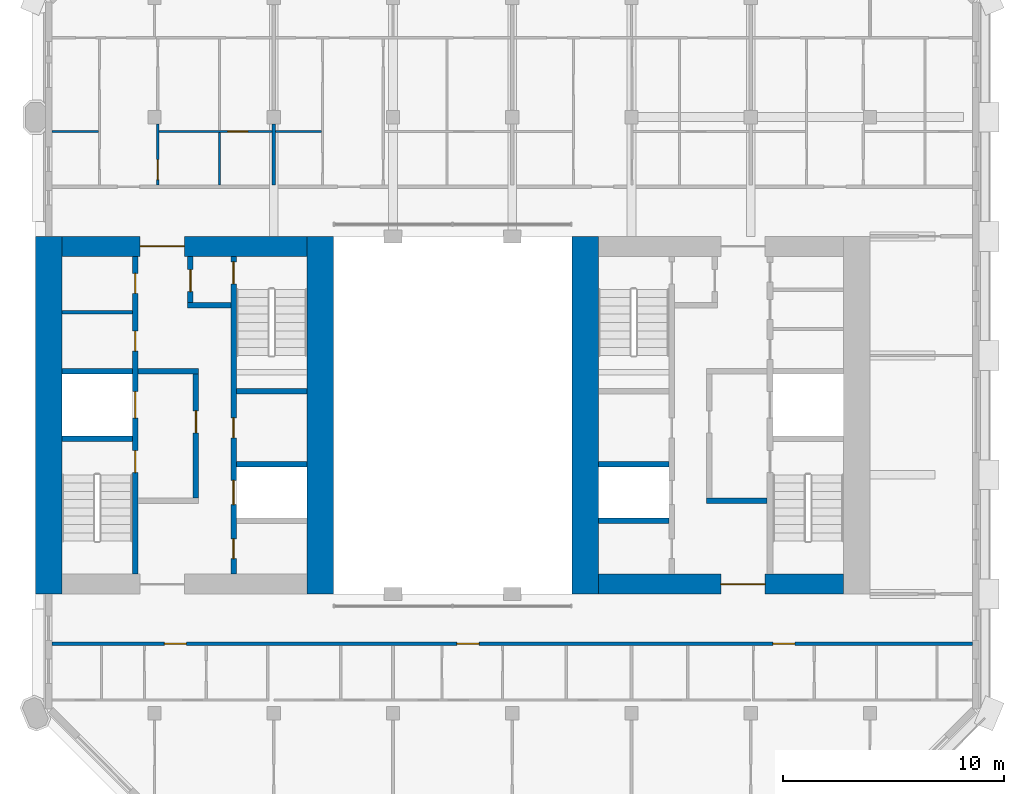
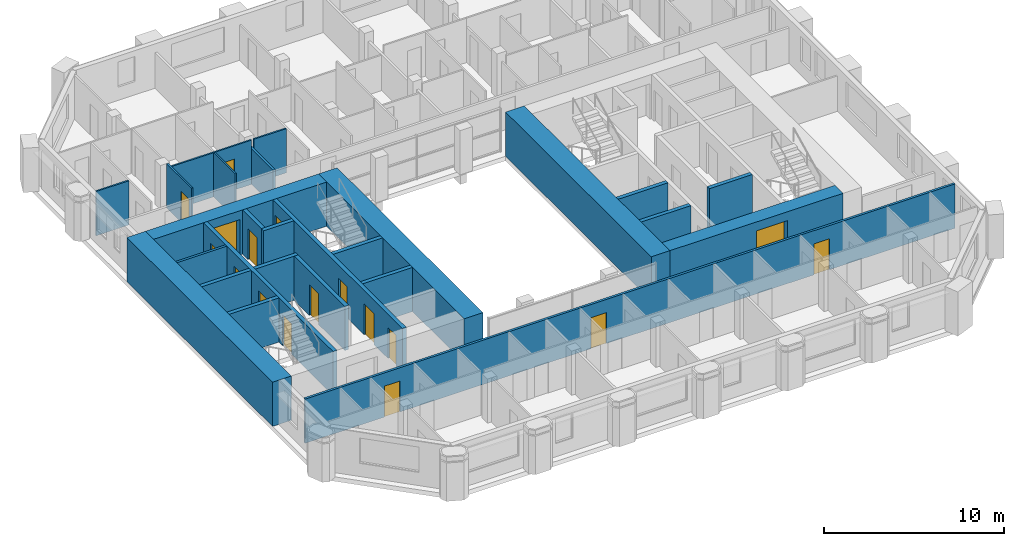
# One storey, part 5 of 13: 26 walls, 17 doors, 17 openings.
"""IFC4 building model written with IfcOpenShell, lengths in metres."""

from ifc_helpers import new_model, si_unit, direction, frame, frame_2d, origin, place, context, subcontext, project, spatial, rectangle, extrude, material, layer, layer_set, type_object, element, fill, save


model = new_model("IFC4")

# Units and contexts
model_context = context("Model", 3, precision=1e-05, world=origin(), true_north=direction((0.0, 1.0)))
body_context = subcontext(model_context, "Body", "Model", "MODEL_VIEW")
ifc_project = project(units=[si_unit("LENGTHUNIT", "METRE"), si_unit("AREAUNIT", "SQUARE_METRE"), si_unit("VOLUMEUNIT", "CUBIC_METRE"), si_unit("PLANEANGLEUNIT", "RADIAN"), si_unit("MASSUNIT", "GRAM", prefix="KILO")], contexts=[model_context])

# Site, building, storey
site_placement = place(None, origin())
site = spatial("IfcSite", under=ifc_project, at=site_placement, CompositionType="ELEMENT")
building_placement = place(site_placement, origin())
building = spatial("IfcBuilding", under=site, at=building_placement, Name="Tabaq Tower and Sports Hall", CompositionType="ELEMENT")
storey_placement = place(building_placement, frame((0.0, 0.0, 295.0)))
storey = spatial("IfcBuildingStorey", under=building, at=storey_placement, Name="L73", CompositionType="ELEMENT", Elevation=295.0)

# Walls
ifc_material_1 = material(Name="Blockwork", Category="masonry")
ifc_layer_1 = layer(ifc_material_1, 0.14990234375)
ifc_layer_set_1 = layer_set([ifc_layer_1], Name="Core room partition 150 Blockwork")
wall_type_1 = type_object("IfcWallType", Name="Core room partition 150 Blockwork", PredefinedType="PARTITIONING", material=ifc_layer_set_1)
wall_1_placement = place(storey_placement, frame((6.60009765625, 28.962890625, 0.0), z_axis=(0.0, 0.0, 1.0), x_axis=(1.0, 0.0, 0.0)))
element("IfcWall", 1, at=wall_1_placement, inside=storey, type_object=wall_type_1, Name="Core room partition W L73", PredefinedType="PARTITIONING", context=body_context, shape_type="SweptSolid", body=[
    extrude(rectangle(XDim=3.199951171875, YDim=0.14990234375, at=frame_2d((1.60009765625, 0.0))), origin(), (0.0, 0.0, 1.0), 3.0),
])
ifc_material_2 = material(Name="Concrete C40/50", Category="concrete")
ifc_layer_2 = layer(ifc_material_2, 1.199951171875)
ifc_layer_set_2 = layer_set([ifc_layer_2], Name="Core wall 1200 Concrete C40/50")
wall_type_2 = type_object("IfcWallType", Name="Core wall 1200 Concrete C40/50", PredefinedType="SOLIDWALL", material=ifc_layer_set_2)
for number, where, z_axis, x_axis, name in (
    (2, (6.0, 16.199951171875, 0.0), (0.0, 0.0, 1.0), (0.0, 1.0, 0.0), "Core wall W L73"),
    (3, (18.300048828125, 32.39990234375, 0.0), (0.0, 0.0, 1.0), (0.0, -1.0, 0.0), "Core wall W L73"),
    (4, (30.300048828125, 16.199951171875, 0.0), (0.0, 0.0, 1.0), (0.0, 1.0, 0.0), "Core wall E L73"),
):
    element("IfcWall", number, at=place(storey_placement, frame(where, z_axis=z_axis, x_axis=x_axis)), inside=storey, type_object=wall_type_2, Name=name, PredefinedType="SOLIDWALL", context=body_context, shape_type="SweptSolid", body=[
        extrude(rectangle(XDim=16.199951171875, YDim=1.199951171875, at=frame_2d((8.10009765625, 0.0))), origin(), (0.0, 0.0, 1.0), 3.0),
    ])

# Wall, opening, door
ifc_material_3 = material(Name="Concrete C40/50", Category="concrete")
ifc_layer_3 = layer(ifc_material_3, 0.89990234375)
ifc_layer_set_3 = layer_set([ifc_layer_3], Name="Core wall 900 Concrete C40/50")
wall_type_3 = type_object("IfcWallType", Name="Core wall 900 Concrete C40/50", PredefinedType="SOLIDWALL", material=ifc_layer_set_3)
wall_2_placement = place(storey_placement, frame((6.60009765625, 31.949951171875, 0.0), z_axis=(0.0, 0.0, 1.0), x_axis=(1.0, 0.0, 0.0)))
wall_2 = element("IfcWall", 5, at=wall_2_placement, inside=storey, type_object=wall_type_3, Name="Core wall W L73", PredefinedType="SOLIDWALL", context=body_context, shape_type="SweptSolid", body=[
    extrude(rectangle(XDim=11.099853515625, YDim=0.89990234375, at=frame_2d((5.5498046875, 0.0))), origin(), (0.0, 0.0, 1.0), 3.0),
])
opening_1_placement = place(wall_2_placement, frame((3.550048828125, 0.0, 0.0)))
opening_1 = element("IfcOpeningElement", 6, at=opening_1_placement, cuts=wall_2, Name="Opening PD-WL73-02", PredefinedType="OPENING", context=body_context, shape_type="SweptSolid", body=[
    extrude(rectangle(XDim=2.0, YDim=2.39990234375, at=frame_2d((1.0, 1.199951171875))), frame((0.0, 0.449951171875, 0.0), z_axis=(0.0, -1.0, 0.0), x_axis=(1.0, 0.0, 0.0)), (0.0, 0.0, 1.0), 0.89990234375),
])
ifc_material_4 = material(Name="Steel fire door", Category="steel")
door_type_1 = type_object("IfcDoorType", Name="Core entrance door 2000", OperationType="DOUBLE_DOOR_SINGLE_SWING", PredefinedType="DOOR", material=ifc_material_4)
door_1_placement = place(opening_1_placement, origin())
door_1 = element("IfcDoor", 7, at=door_1_placement, inside=storey, type_object=door_type_1, Name="Core entrance north W L73", OperationType="DOUBLE_DOOR_SINGLE_SWING", OverallHeight=2.39990234375, OverallWidth=2.0, PredefinedType="DOOR", context=body_context, shape_type="SweptSolid", body=[
    extrude(rectangle(XDim=2.0, YDim=2.39990234375, at=frame_2d((1.0, 1.199951171875))), frame((0.0, 0.02490234375, 0.0), z_axis=(0.0, -1.0, 0.0), x_axis=(1.0, 0.0, 0.0)), (0.0, 0.0, 1.0), 0.050048828125),
])
fill(opening_1, door_1)

wall_3_placement = place(storey_placement, frame((42.0, 16.64990234375, 0.0), z_axis=(0.0, 0.0, 1.0), x_axis=(-1.0, 0.0, 0.0)))
wall_3 = element("IfcWall", 8, at=wall_3_placement, inside=storey, type_object=wall_type_3, Name="Core wall E L73", PredefinedType="SOLIDWALL", context=body_context, shape_type="SweptSolid", body=[
    extrude(rectangle(XDim=11.10009765625, YDim=0.89990234375, at=frame_2d((5.550048828125, 0.0))), origin(), (0.0, 0.0, 1.0), 3.0),
])
opening_2_placement = place(wall_3_placement, frame((3.550048828125, 0.0, 0.0)))
opening_2 = element("IfcOpeningElement", 9, at=opening_2_placement, cuts=wall_3, Name="Opening PD-EL73-01", PredefinedType="OPENING", context=body_context, shape_type="SweptSolid", body=[
    extrude(rectangle(XDim=2.0, YDim=2.39990234375, at=frame_2d((1.0, 1.199951171875))), frame((0.0, 0.449951171875, 0.0), z_axis=(0.0, -1.0, 0.0), x_axis=(1.0, 0.0, 0.0)), (0.0, 0.0, 1.0), 0.89990234375),
])
door_2_placement = place(opening_2_placement, origin())
door_2 = element("IfcDoor", 10, at=door_2_placement, inside=storey, type_object=door_type_1, Name="Core entrance south E L73", OperationType="DOUBLE_DOOR_SINGLE_SWING", OverallHeight=2.39990234375, OverallWidth=2.0, PredefinedType="DOOR", context=body_context, shape_type="SweptSolid", body=[
    extrude(rectangle(XDim=2.0, YDim=2.39990234375, at=frame_2d((1.0, 1.199951171875))), frame((0.0, 0.02490234375, 0.0), z_axis=(0.0, -1.0, 0.0), x_axis=(1.0, 0.0, 0.0)), (0.0, 0.0, 1.0), 0.050048828125),
])
fill(opening_2, door_2)

# Wall
ifc_material_5 = material(Name="Gypsum board on steel studs", Category="steel")
ifc_layer_4 = layer(ifc_material_5, 0.10009765625)
ifc_layer_set_4 = layer_set([ifc_layer_4], Name="Partition 100 Gypsum board")
wall_type_4 = type_object("IfcWallType", Name="Partition 100 Gypsum board", PredefinedType="PARTITIONING", material=ifc_layer_set_4)
wall_4_placement = place(storey_placement, frame((6.15087890625, 37.14990234375, 0.0), z_axis=(0.0, 0.0, 1.0), x_axis=(1.0, 0.0, 0.0)))
element("IfcWall", 11, at=wall_4_placement, inside=storey, type_object=wall_type_4, Name="Partition wall L73", PredefinedType="PARTITIONING", context=body_context, shape_type="SweptSolid", body=[
    extrude(rectangle(XDim=2.09912109375, YDim=0.10009765625, at=frame_2d((1.049560546875, 0.0))), origin(), (0.0, 0.0, 1.0), 3.0),
])

# Wall, opening, door
wall_5_placement = place(storey_placement, frame((10.93994140625, 34.72509765625, 0.0), z_axis=(0.0, 0.0, 1.0), x_axis=(0.0, 1.0, 0.0)))
wall_5 = element("IfcWall", 12, at=wall_5_placement, inside=storey, type_object=wall_type_4, Name="Partition wall L73", PredefinedType="PARTITIONING", context=body_context, shape_type="SweptSolid", body=[
    extrude(rectangle(XDim=2.7548828125, YDim=0.10009765625, at=frame_2d((1.37744140625, 0.0))), origin(), (0.0, 0.0, 1.0), 3.0),
])
opening_3_placement = place(wall_5_placement, frame((0.25, 0.0, 0.0)))
opening_3 = element("IfcOpeningElement", 13, at=opening_3_placement, cuts=wall_5, Name="Opening L73-003", PredefinedType="OPENING", context=body_context, shape_type="SweptSolid", body=[
    extrude(rectangle(XDim=0.89990234375, YDim=2.10009765625, at=frame_2d((0.449951171875, 1.050048828125))), frame((0.0, 0.050048828125, 0.0), z_axis=(0.0, -1.0, 0.0), x_axis=(1.0, 0.0, 0.0)), (0.0, 0.0, 1.0), 0.10009765625),
])
ifc_material_6 = material(Name="Timber leaf in steel frame", Category="steel")
door_type_2 = type_object("IfcDoorType", Name="Internal door 900 right hand", OperationType="SINGLE_SWING_RIGHT", PredefinedType="DOOR", material=ifc_material_6)
door_3_placement = place(opening_3_placement, origin())
door_3 = element("IfcDoor", 14, at=door_3_placement, inside=storey, type_object=door_type_2, Name="Internal door L73-003", OperationType="SINGLE_SWING_RIGHT", OverallHeight=2.10009765625, OverallWidth=0.89990234375, PredefinedType="DOOR", context=body_context, shape_type="SweptSolid", body=[
    extrude(rectangle(XDim=0.89990234375, YDim=2.10009765625, at=frame_2d((0.449951171875, 1.050048828125))), frame((0.0, 0.02490234375, 0.0), z_axis=(0.0, -1.0, 0.0), x_axis=(1.0, 0.0, 0.0)), (0.0, 0.0, 1.0), 0.050048828125),
])
fill(opening_3, door_3)

# Wall
wall_6_placement = place(storey_placement, frame((13.739990234375, 34.72509765625, 0.0), z_axis=(0.0, 0.0, 1.0), x_axis=(0.0, 1.0, 0.0)))
element("IfcWall", 15, at=wall_6_placement, inside=storey, type_object=wall_type_4, Name="Partition wall L73", PredefinedType="PARTITIONING", context=body_context, shape_type="SweptSolid", body=[
    extrude(rectangle(XDim=2.375, YDim=0.10009765625, at=frame_2d((1.1875, 0.0))), origin(), (0.0, 0.0, 1.0), 3.0),
])

# Wall, opening, door
wall_7_placement = place(storey_placement, frame((10.989990234375, 37.14990234375, 0.0), z_axis=(0.0, 0.0, 1.0), x_axis=(1.0, 0.0, 0.0)))
wall_7 = element("IfcWall", 16, at=wall_7_placement, inside=storey, type_object=wall_type_4, Name="Partition wall L73", PredefinedType="PARTITIONING", context=body_context, shape_type="SweptSolid", body=[
    extrude(rectangle(XDim=5.135009765625, YDim=0.10009765625, at=frame_2d((2.5673828125, 0.0))), origin(), (0.0, 0.0, 1.0), 3.0),
])
opening_4_placement = place(wall_7_placement, frame((3.1201171875, 0.0, 0.0)))
opening_4 = element("IfcOpeningElement", 17, at=opening_4_placement, cuts=wall_7, Name="Opening L73-004", PredefinedType="OPENING", context=body_context, shape_type="SweptSolid", body=[
    extrude(rectangle(XDim=0.89990234375, YDim=2.10009765625, at=frame_2d((0.449951171875, 1.050048828125))), frame((0.0, 0.050048828125, 0.0), z_axis=(0.0, -1.0, 0.0), x_axis=(1.0, 0.0, 0.0)), (0.0, 0.0, 1.0), 0.10009765625),
])
door_4_placement = place(opening_4_placement, origin())
door_4 = element("IfcDoor", 18, at=door_4_placement, inside=storey, type_object=door_type_2, Name="Internal door L73-004", OperationType="SINGLE_SWING_RIGHT", OverallHeight=2.10009765625, OverallWidth=0.89990234375, PredefinedType="DOOR", context=body_context, shape_type="SweptSolid", body=[
    extrude(rectangle(XDim=0.89990234375, YDim=2.10009765625, at=frame_2d((0.449951171875, 1.050048828125))), frame((0.0, 0.02490234375, 0.0), z_axis=(0.0, -1.0, 0.0), x_axis=(1.0, 0.0, 0.0)), (0.0, 0.0, 1.0), 0.050048828125),
])
fill(opening_4, door_4)

# Walls
wall_8_placement = place(storey_placement, frame((16.27490234375, 37.14990234375, 0.0), z_axis=(0.0, 0.0, 1.0), x_axis=(1.0, 0.0, 0.0)))
element("IfcWall", 19, at=wall_8_placement, inside=storey, type_object=wall_type_4, Name="Partition wall L73", PredefinedType="PARTITIONING", context=body_context, shape_type="SweptSolid", body=[
    extrude(rectangle(XDim=2.087158203125, YDim=0.10009765625, at=frame_2d((1.04345703125, 0.0))), origin(), (0.0, 0.0, 1.0), 3.0),
])
ifc_material_7 = material(Name="Blockwork", Category="masonry")
ifc_layer_5 = layer(ifc_material_7, 0.14990234375)
ifc_layer_set_5 = layer_set([ifc_layer_5], Name="Separating wall 150 Blockwork")
wall_type_5 = type_object("IfcWallType", Name="Separating wall 150 Blockwork", PredefinedType="PARTITIONING", material=ifc_layer_set_5)
wall_9_placement = place(storey_placement, frame((16.199951171875, 34.72509765625, 0.0), z_axis=(0.0, 0.0, 1.0), x_axis=(0.0, 1.0, 0.0)))
element("IfcWall", 20, at=wall_9_placement, inside=storey, type_object=wall_type_5, Name="Separating wall L73", PredefinedType="PARTITIONING", context=body_context, shape_type="SweptSolid", body=[
    extrude(rectangle(XDim=2.7548828125, YDim=0.14990234375, at=frame_2d((1.37744140625, 0.0))), origin(), (0.0, 0.0, 1.0), 2.39990234375),
])

# Wall, openings, doors
wall_10_placement = place(storey_placement, frame((47.84912109375, 13.949951171875, 0.0), z_axis=(0.0, 0.0, 1.0), x_axis=(-1.0, 0.0, 0.0)))
wall_10 = element("IfcWall", 21, at=wall_10_placement, inside=storey, type_object=wall_type_5, Name="Separating wall L73", PredefinedType="PARTITIONING", context=body_context, shape_type="SweptSolid", body=[
    extrude(rectangle(XDim=41.6982421875, YDim=0.14990234375, at=frame_2d((20.84912109375, 0.0))), origin(), (0.0, 0.0, 1.0), 3.0),
])
opening_5_placement = place(wall_10_placement, frame((35.60888671875, 0.0, 0.0)))
opening_5 = element("IfcOpeningElement", 22, at=opening_5_placement, cuts=wall_10, Name="Opening L73-061", PredefinedType="OPENING", context=body_context, shape_type="SweptSolid", body=[
    extrude(rectangle(XDim=1.0, YDim=2.10009765625, at=frame_2d((0.5, 1.050048828125))), frame((0.0, 0.074951171875, 0.0), z_axis=(0.0, -1.0, 0.0), x_axis=(1.0, 0.0, 0.0)), (0.0, 0.0, 1.0), 0.14990234375),
])
opening_6_placement = place(wall_10_placement, frame((22.35400390625, 0.0, 0.0)))
opening_6 = element("IfcOpeningElement", 23, at=opening_6_placement, cuts=wall_10, Name="Opening L73-062", PredefinedType="OPENING", context=body_context, shape_type="SweptSolid", body=[
    extrude(rectangle(XDim=1.0, YDim=2.10009765625, at=frame_2d((0.5, 1.050048828125))), frame((0.0, 0.074951171875, 0.0), z_axis=(0.0, -1.0, 0.0), x_axis=(1.0, 0.0, 0.0)), (0.0, 0.0, 1.0), 0.14990234375),
])
opening_7_placement = place(wall_10_placement, frame((8.049072265625, 0.0, 0.0)))
opening_7 = element("IfcOpeningElement", 24, at=opening_7_placement, cuts=wall_10, Name="Opening L73-063", PredefinedType="OPENING", context=body_context, shape_type="SweptSolid", body=[
    extrude(rectangle(XDim=1.0, YDim=2.10009765625, at=frame_2d((0.5, 1.050048828125))), frame((0.0, 0.074951171875, 0.0), z_axis=(0.0, -1.0, 0.0), x_axis=(1.0, 0.0, 0.0)), (0.0, 0.0, 1.0), 0.14990234375),
])
ifc_material_8 = material(Name="Steel fire door", Category="steel")
door_type_3 = type_object("IfcDoorType", Name="Entrance door 1000 left hand", OperationType="SINGLE_SWING_LEFT", PredefinedType="DOOR", material=ifc_material_8)
door_5_placement = place(opening_6_placement, origin())
door_5 = element("IfcDoor", 25, at=door_5_placement, inside=storey, type_object=door_type_3, Name="Entrance door L73-062", OperationType="SINGLE_SWING_LEFT", OverallHeight=2.10009765625, OverallWidth=1.0, PredefinedType="DOOR", context=body_context, shape_type="SweptSolid", body=[
    extrude(rectangle(XDim=1.0, YDim=2.10009765625, at=frame_2d((0.5, 1.050048828125))), frame((0.0, 0.02490234375, 0.0), z_axis=(0.0, -1.0, 0.0), x_axis=(1.0, 0.0, 0.0)), (0.0, 0.0, 1.0), 0.050048828125),
])
fill(opening_6, door_5)
door_6_placement = place(opening_7_placement, origin())
door_6 = element("IfcDoor", 26, at=door_6_placement, inside=storey, type_object=door_type_3, Name="Entrance door L73-063", OperationType="SINGLE_SWING_LEFT", OverallHeight=2.10009765625, OverallWidth=1.0, PredefinedType="DOOR", context=body_context, shape_type="SweptSolid", body=[
    extrude(rectangle(XDim=1.0, YDim=2.10009765625, at=frame_2d((0.5, 1.050048828125))), frame((0.0, 0.02490234375, 0.0), z_axis=(0.0, -1.0, 0.0), x_axis=(1.0, 0.0, 0.0)), (0.0, 0.0, 1.0), 0.050048828125),
])
fill(opening_7, door_6)
ifc_material_9 = material(Name="Steel fire door", Category="steel")
door_type_4 = type_object("IfcDoorType", Name="Entrance door 1000 right hand", OperationType="SINGLE_SWING_RIGHT", PredefinedType="DOOR", material=ifc_material_9)
door_7_placement = place(opening_5_placement, origin())
door_7 = element("IfcDoor", 27, at=door_7_placement, inside=storey, type_object=door_type_4, Name="Entrance door L73-061", OperationType="SINGLE_SWING_RIGHT", OverallHeight=2.10009765625, OverallWidth=1.0, PredefinedType="DOOR", context=body_context, shape_type="SweptSolid", body=[
    extrude(rectangle(XDim=1.0, YDim=2.10009765625, at=frame_2d((0.5, 1.050048828125))), frame((0.0, 0.02490234375, 0.0), z_axis=(0.0, -1.0, 0.0), x_axis=(1.0, 0.0, 0.0)), (0.0, 0.0, 1.0), 0.050048828125),
])
fill(opening_5, door_7)

ifc_material_10 = material(Name="Concrete C40/50", Category="concrete")
ifc_layer_6 = layer(ifc_material_10, 0.25)
ifc_layer_set_6 = layer_set([ifc_layer_6], Name="Shaft and stair wall 250 Concrete C40/50")
wall_type_6 = type_object("IfcWallType", Name="Shaft and stair wall 250 Concrete C40/50", PredefinedType="SOLIDWALL", material=ifc_layer_set_6)
wall_11_placement = place(storey_placement, frame((9.925048828125, 17.10009765625, 0.0), z_axis=(0.0, 0.0, 1.0), x_axis=(0.0, 1.0, 0.0)))
wall_11 = element("IfcWall", 28, at=wall_11_placement, inside=storey, type_object=wall_type_6, Name="Shaft wall W L73", PredefinedType="SOLIDWALL", context=body_context, shape_type="SweptSolid", body=[
    extrude(rectangle(XDim=14.39990234375, YDim=0.25, at=frame_2d((7.199951171875, 0.0))), origin(), (0.0, 0.0, 1.0), 3.0),
])
opening_8_placement = place(wall_11_placement, frame((4.60009765625, 0.0, 0.0)))
opening_8 = element("IfcOpeningElement", 29, at=opening_8_placement, cuts=wall_11, Name="Opening SD-WL73-03", PredefinedType="OPENING", context=body_context, shape_type="SweptSolid", body=[
    extrude(rectangle(XDim=1.0, YDim=2.10009765625, at=frame_2d((0.5, 1.050048828125))), frame((0.0, 0.125, 0.0), z_axis=(0.0, -1.0, 0.0), x_axis=(1.0, 0.0, 0.0)), (0.0, 0.0, 1.0), 0.25),
])
opening_9_placement = place(wall_11_placement, frame((7.0625, 0.0, 0.0)))
opening_9 = element("IfcOpeningElement", 30, at=opening_9_placement, cuts=wall_11, Name="Opening LD-FF1-L73", PredefinedType="OPENING", context=body_context, shape_type="SweptSolid", body=[
    extrude(rectangle(XDim=1.199951171875, YDim=2.10009765625, at=frame_2d((0.60009765625, 1.050048828125))), frame((0.0, 0.125, 0.0), z_axis=(0.0, -1.0, 0.0), x_axis=(1.0, 0.0, 0.0)), (0.0, 0.0, 1.0), 0.25),
])
opening_10_placement = place(wall_11_placement, frame((10.1064453125, 0.0, 0.0)))
opening_10 = element("IfcOpeningElement", 31, at=opening_10_placement, cuts=wall_11, Name="Opening RD-WL73-09", PredefinedType="OPENING", context=body_context, shape_type="SweptSolid", body=[
    extrude(rectangle(XDim=0.89990234375, YDim=2.10009765625, at=frame_2d((0.449951171875, 1.050048828125))), frame((0.0, 0.125, 0.0), z_axis=(0.0, -1.0, 0.0), x_axis=(1.0, 0.0, 0.0)), (0.0, 0.0, 1.0), 0.25),
])
opening_11_placement = place(wall_11_placement, frame((12.718994140625, 0.0, 0.0)))
opening_11 = element("IfcOpeningElement", 32, at=opening_11_placement, cuts=wall_11, Name="Opening RD-WL73-10", PredefinedType="OPENING", context=body_context, shape_type="SweptSolid", body=[
    extrude(rectangle(XDim=0.89990234375, YDim=2.10009765625, at=frame_2d((0.449951171875, 1.050048828125))), frame((0.0, 0.125, 0.0), z_axis=(0.0, -1.0, 0.0), x_axis=(1.0, 0.0, 0.0)), (0.0, 0.0, 1.0), 0.25),
])
ifc_material_11 = material(Name="Steel fire door", Category="steel")
door_type_5 = type_object("IfcDoorType", Name="Core room door 900", OperationType="SINGLE_SWING_LEFT", PredefinedType="DOOR", material=ifc_material_11)
door_8_placement = place(opening_10_placement, origin())
door_8 = element("IfcDoor", 33, at=door_8_placement, inside=storey, type_object=door_type_5, Name="Door Housekeeping Store W L73", OperationType="SINGLE_SWING_LEFT", OverallHeight=2.10009765625, OverallWidth=0.89990234375, PredefinedType="DOOR", context=body_context, shape_type="SweptSolid", body=[
    extrude(rectangle(XDim=0.89990234375, YDim=2.10009765625, at=frame_2d((0.449951171875, 1.050048828125))), frame((0.0, 0.02490234375, 0.0), z_axis=(0.0, -1.0, 0.0), x_axis=(1.0, 0.0, 0.0)), (0.0, 0.0, 1.0), 0.050048828125),
])
fill(opening_10, door_8)
door_9_placement = place(opening_11_placement, origin())
door_9 = element("IfcDoor", 34, at=door_9_placement, inside=storey, type_object=door_type_5, Name="Door Riser Room W L73", OperationType="SINGLE_SWING_LEFT", OverallHeight=2.10009765625, OverallWidth=0.89990234375, PredefinedType="DOOR", context=body_context, shape_type="SweptSolid", body=[
    extrude(rectangle(XDim=0.89990234375, YDim=2.10009765625, at=frame_2d((0.449951171875, 1.050048828125))), frame((0.0, 0.02490234375, 0.0), z_axis=(0.0, -1.0, 0.0), x_axis=(1.0, 0.0, 0.0)), (0.0, 0.0, 1.0), 0.050048828125),
])
fill(opening_11, door_9)
ifc_material_12 = material(Name="Stainless steel", Category="steel")
door_type_6 = type_object("IfcDoorType", Name="Lift landing door 1200", OperationType="DOUBLE_DOOR_SLIDING", PredefinedType="DOOR", material=ifc_material_12)
door_10_placement = place(opening_9_placement, origin())
door_10 = element("IfcDoor", 35, at=door_10_placement, inside=storey, type_object=door_type_6, Name="Lift landing door FF1 W L73", OperationType="DOUBLE_DOOR_SLIDING", OverallHeight=2.10009765625, OverallWidth=1.199951171875, PredefinedType="DOOR", context=body_context, shape_type="SweptSolid", body=[
    extrude(rectangle(XDim=1.199951171875, YDim=2.10009765625, at=frame_2d((0.60009765625, 1.050048828125))), frame((0.0, 0.02490234375, 0.0), z_axis=(0.0, -1.0, 0.0), x_axis=(1.0, 0.0, 0.0)), (0.0, 0.0, 1.0), 0.050048828125),
])
fill(opening_9, door_10)
ifc_material_13 = material(Name="Steel fire door", Category="steel")
door_type_7 = type_object("IfcDoorType", Name="Stair door 1000", OperationType="SINGLE_SWING_LEFT", PredefinedType="DOOR", material=ifc_material_13)
door_11_placement = place(opening_8_placement, origin())
door_11 = element("IfcDoor", 36, at=door_11_placement, inside=storey, type_object=door_type_7, Name="Stair door ST1 W L73", OperationType="SINGLE_SWING_LEFT", OverallHeight=2.10009765625, OverallWidth=1.0, PredefinedType="DOOR", context=body_context, shape_type="SweptSolid", body=[
    extrude(rectangle(XDim=1.0, YDim=2.10009765625, at=frame_2d((0.5, 1.050048828125))), frame((0.0, 0.02490234375, 0.0), z_axis=(0.0, -1.0, 0.0), x_axis=(1.0, 0.0, 0.0)), (0.0, 0.0, 1.0), 0.050048828125),
])
fill(opening_8, door_11)

wall_12_placement = place(storey_placement, frame((14.375, 17.10009765625, 0.0), z_axis=(0.0, 0.0, 1.0), x_axis=(0.0, 1.0, 0.0)))
wall_12 = element("IfcWall", 37, at=wall_12_placement, inside=storey, type_object=wall_type_6, Name="Shaft wall W L73", PredefinedType="SOLIDWALL", context=body_context, shape_type="SweptSolid", body=[
    extrude(rectangle(XDim=14.39990234375, YDim=0.25, at=frame_2d((7.199951171875, 0.0))), origin(), (0.0, 0.0, 1.0), 3.0),
])
opening_12_placement = place(wall_12_placement, frame((13.14990234375, 0.0, 0.0)))
opening_12 = element("IfcOpeningElement", 38, at=opening_12_placement, cuts=wall_12, Name="Opening SD-WL73-05", PredefinedType="OPENING", context=body_context, shape_type="SweptSolid", body=[
    extrude(rectangle(XDim=1.0, YDim=2.10009765625, at=frame_2d((0.5, 1.050048828125))), frame((0.0, 0.125, 0.0), z_axis=(0.0, -1.0, 0.0), x_axis=(1.0, 0.0, 0.0)), (0.0, 0.0, 1.0), 0.25),
])
opening_13_placement = place(wall_12_placement, frame((3.14990234375, 0.0, 0.0)))
opening_13 = element("IfcOpeningElement", 39, at=opening_13_placement, cuts=wall_12, Name="Opening LD-HR1-L73", PredefinedType="OPENING", context=body_context, shape_type="SweptSolid", body=[
    extrude(rectangle(XDim=1.10009765625, YDim=2.10009765625, at=frame_2d((0.550048828125, 1.050048828125))), frame((0.0, 0.125, 0.0), z_axis=(0.0, -1.0, 0.0), x_axis=(1.0, 0.0, 0.0)), (0.0, 0.0, 1.0), 0.25),
])
opening_14_placement = place(wall_12_placement, frame((0.699951171875, 0.0, 0.0)))
opening_14 = element("IfcOpeningElement", 40, at=opening_14_placement, cuts=wall_12, Name="Opening RD-WL73-11", PredefinedType="OPENING", context=body_context, shape_type="SweptSolid", body=[
    extrude(rectangle(XDim=0.89990234375, YDim=2.10009765625, at=frame_2d((0.449951171875, 1.050048828125))), frame((0.0, 0.125, 0.0), z_axis=(0.0, -1.0, 0.0), x_axis=(1.0, 0.0, 0.0)), (0.0, 0.0, 1.0), 0.25),
])
opening_15_placement = place(wall_12_placement, frame((6.175048828125, 0.0, 0.0)))
opening_15 = element("IfcOpeningElement", 41, at=opening_15_placement, cuts=wall_12, Name="Opening RD-WL73-12", PredefinedType="OPENING", context=body_context, shape_type="SweptSolid", body=[
    extrude(rectangle(XDim=0.89990234375, YDim=2.10009765625, at=frame_2d((0.449951171875, 1.050048828125))), frame((0.0, 0.125, 0.0), z_axis=(0.0, -1.0, 0.0), x_axis=(1.0, 0.0, 0.0)), (0.0, 0.0, 1.0), 0.25),
])
door_12_placement = place(opening_14_placement, origin())
door_12 = element("IfcDoor", 42, at=door_12_placement, inside=storey, type_object=door_type_5, Name="Door Electrical Riser Room W L73", OperationType="SINGLE_SWING_LEFT", OverallHeight=2.10009765625, OverallWidth=0.89990234375, PredefinedType="DOOR", context=body_context, shape_type="SweptSolid", body=[
    extrude(rectangle(XDim=0.89990234375, YDim=2.10009765625, at=frame_2d((0.449951171875, 1.050048828125))), frame((0.0, 0.02490234375, 0.0), z_axis=(0.0, -1.0, 0.0), x_axis=(1.0, 0.0, 0.0)), (0.0, 0.0, 1.0), 0.050048828125),
])
fill(opening_14, door_12)
door_13_placement = place(opening_15_placement, origin())
door_13 = element("IfcDoor", 43, at=door_13_placement, inside=storey, type_object=door_type_5, Name="Door Riser Room W L73", OperationType="SINGLE_SWING_LEFT", OverallHeight=2.10009765625, OverallWidth=0.89990234375, PredefinedType="DOOR", context=body_context, shape_type="SweptSolid", body=[
    extrude(rectangle(XDim=0.89990234375, YDim=2.10009765625, at=frame_2d((0.449951171875, 1.050048828125))), frame((0.0, 0.02490234375, 0.0), z_axis=(0.0, -1.0, 0.0), x_axis=(1.0, 0.0, 0.0)), (0.0, 0.0, 1.0), 0.050048828125),
])
fill(opening_15, door_13)
ifc_material_14 = material(Name="Stainless steel", Category="steel")
door_type_8 = type_object("IfcDoorType", Name="Lift landing door 1100", OperationType="DOUBLE_DOOR_SLIDING", PredefinedType="DOOR", material=ifc_material_14)
door_14_placement = place(opening_13_placement, origin())
door_14 = element("IfcDoor", 44, at=door_14_placement, inside=storey, type_object=door_type_8, Name="Lift landing door HR1 W L73", OperationType="DOUBLE_DOOR_SLIDING", OverallHeight=2.10009765625, OverallWidth=1.10009765625, PredefinedType="DOOR", context=body_context, shape_type="SweptSolid", body=[
    extrude(rectangle(XDim=1.10009765625, YDim=2.10009765625, at=frame_2d((0.550048828125, 1.050048828125))), frame((0.0, 0.02490234375, 0.0), z_axis=(0.0, -1.0, 0.0), x_axis=(1.0, 0.0, 0.0)), (0.0, 0.0, 1.0), 0.050048828125),
])
fill(opening_13, door_14)
door_15_placement = place(opening_12_placement, origin())
door_15 = element("IfcDoor", 45, at=door_15_placement, inside=storey, type_object=door_type_7, Name="Stair door ST2 W L73", OperationType="SINGLE_SWING_LEFT", OverallHeight=2.10009765625, OverallWidth=1.0, PredefinedType="DOOR", context=body_context, shape_type="SweptSolid", body=[
    extrude(rectangle(XDim=1.0, YDim=2.10009765625, at=frame_2d((0.5, 1.050048828125))), frame((0.0, 0.02490234375, 0.0), z_axis=(0.0, -1.0, 0.0), x_axis=(1.0, 0.0, 0.0)), (0.0, 0.0, 1.0), 0.050048828125),
])
fill(opening_12, door_15)

# Walls
for number, where, z_axis, x_axis, name in (
    (46, (6.60009765625, 23.22509765625, 0.0), (0.0, 0.0, 1.0), (1.0, 0.0, 0.0), "Stair enclosure wall W L73"),
    (47, (14.5, 25.375, 0.0), (0.0, 0.0, 1.0), (1.0, 0.0, 0.0), "Stair enclosure wall W L73"),
    (48, (14.5, 22.074951171875, 0.0), (0.0, 0.0, 1.0), (1.0, 0.0, 0.0), "Shaft wall W L73"),
    (49, (6.60009765625, 26.300048828125, 0.0), (0.0, 0.0, 1.0), (1.0, 0.0, 0.0), "Shaft wall W L73"),
):
    element("IfcWall", number, at=place(storey_placement, frame(where, z_axis=z_axis, x_axis=x_axis)), inside=storey, type_object=wall_type_6, Name=name, PredefinedType="SOLIDWALL", context=body_context, shape_type="SweptSolid", body=[
        extrude(rectangle(XDim=3.199951171875, YDim=0.25, at=frame_2d((1.60009765625, 0.0))), origin(), (0.0, 0.0, 1.0), 3.0),
    ])
wall_13_placement = place(storey_placement, frame((10.050048828125, 26.300048828125, 0.0), z_axis=(0.0, 0.0, 1.0), x_axis=(1.0, 0.0, 0.0)))
element("IfcWall", 50, at=wall_13_placement, inside=storey, type_object=wall_type_6, Name="Fire-fighting lobby wall W L73", PredefinedType="SOLIDWALL", context=body_context, shape_type="SweptSolid", body=[
    extrude(rectangle(XDim=2.75, YDim=0.25, at=frame_2d((1.375, 0.0))), origin(), (0.0, 0.0, 1.0), 3.0),
])

# Wall, opening, door
wall_14_placement = place(storey_placement, frame((12.425048828125, 29.39990234375, 0.0), z_axis=(0.0, 0.0, 1.0), x_axis=(0.0, 1.0, 0.0)))
wall_14 = element("IfcWall", 51, at=wall_14_placement, inside=storey, type_object=wall_type_6, Name="Fire-fighting lobby wall W L73", PredefinedType="SOLIDWALL", context=body_context, shape_type="SweptSolid", body=[
    extrude(rectangle(XDim=2.10009765625, YDim=0.25, at=frame_2d((1.050048828125, 0.0))), origin(), (0.0, 0.0, 1.0), 3.0),
])
opening_16_placement = place(wall_14_placement, frame((0.5, 0.0, 0.0)))
opening_16 = element("IfcOpeningElement", 52, at=opening_16_placement, cuts=wall_14, Name="Opening FD-WL73-06", PredefinedType="OPENING", context=body_context, shape_type="SweptSolid", body=[
    extrude(rectangle(XDim=1.0, YDim=2.10009765625, at=frame_2d((0.5, 1.050048828125))), frame((0.0, 0.125, 0.0), z_axis=(0.0, -1.0, 0.0), x_axis=(1.0, 0.0, 0.0)), (0.0, 0.0, 1.0), 0.25),
])
ifc_material_15 = material(Name="Steel fire door", Category="steel")
door_type_9 = type_object("IfcDoorType", Name="Fire-fighting lobby door 1000", OperationType="SINGLE_SWING_LEFT", PredefinedType="DOOR", material=ifc_material_15)
door_16_placement = place(opening_16_placement, origin())
door_16 = element("IfcDoor", 53, at=door_16_placement, inside=storey, type_object=door_type_9, Name="Stair lobby door W L73", OperationType="SINGLE_SWING_LEFT", OverallHeight=2.10009765625, OverallWidth=1.0, PredefinedType="DOOR", context=body_context, shape_type="SweptSolid", body=[
    extrude(rectangle(XDim=1.0, YDim=2.10009765625, at=frame_2d((0.5, 1.050048828125))), frame((0.0, 0.02490234375, 0.0), z_axis=(0.0, -1.0, 0.0), x_axis=(1.0, 0.0, 0.0)), (0.0, 0.0, 1.0), 0.050048828125),
])
fill(opening_16, door_16)

# Wall
wall_15_placement = place(storey_placement, frame((12.300048828125, 29.27490234375, 0.0), z_axis=(0.0, 0.0, 1.0), x_axis=(1.0, 0.0, 0.0)))
element("IfcWall", 54, at=wall_15_placement, inside=storey, type_object=wall_type_6, Name="Fire-fighting lobby wall W L73", PredefinedType="SOLIDWALL", context=body_context, shape_type="SweptSolid", body=[
    extrude(rectangle(XDim=1.949951171875, YDim=0.25, at=frame_2d((0.97509765625, 0.0))), origin(), (0.0, 0.0, 1.0), 3.0),
])

# Wall, opening, door
wall_16_placement = place(storey_placement, frame((12.675048828125, 20.550048828125, 0.0), z_axis=(0.0, 0.0, 1.0), x_axis=(0.0, 1.0, 0.0)))
wall_16 = element("IfcWall", 55, at=wall_16_placement, inside=storey, type_object=wall_type_6, Name="Fire-fighting lobby wall W L73", PredefinedType="SOLIDWALL", context=body_context, shape_type="SweptSolid", body=[
    extrude(rectangle(XDim=5.625, YDim=0.25, at=frame_2d((2.8125, 0.0))), origin(), (0.0, 0.0, 1.0), 3.0),
])
opening_17_placement = place(wall_16_placement, frame((2.949951171875, 0.0, 0.0)))
opening_17 = element("IfcOpeningElement", 56, at=opening_17_placement, cuts=wall_16, Name="Opening FD-WL73-04", PredefinedType="OPENING", context=body_context, shape_type="SweptSolid", body=[
    extrude(rectangle(XDim=1.0, YDim=2.10009765625, at=frame_2d((0.5, 1.050048828125))), frame((0.0, 0.125, 0.0), z_axis=(0.0, -1.0, 0.0), x_axis=(1.0, 0.0, 0.0)), (0.0, 0.0, 1.0), 0.25),
])
door_17_placement = place(opening_17_placement, origin())
door_17 = element("IfcDoor", 57, at=door_17_placement, inside=storey, type_object=door_type_9, Name="Fire-fighting lobby door W L73", OperationType="SINGLE_SWING_LEFT", OverallHeight=2.10009765625, OverallWidth=1.0, PredefinedType="DOOR", context=body_context, shape_type="SweptSolid", body=[
    extrude(rectangle(XDim=1.0, YDim=2.10009765625, at=frame_2d((0.5, 1.050048828125))), frame((0.0, 0.02490234375, 0.0), z_axis=(0.0, -1.0, 0.0), x_axis=(1.0, 0.0, 0.0)), (0.0, 0.0, 1.0), 0.050048828125),
])
fill(opening_17, door_17)

# Walls
wall_17_placement = place(storey_placement, frame((30.89990234375, 22.074951171875, 0.0), z_axis=(0.0, 0.0, 1.0), x_axis=(1.0, 0.0, 0.0)))
element("IfcWall", 58, at=wall_17_placement, inside=storey, type_object=wall_type_6, Name="Shaft wall E L73", PredefinedType="SOLIDWALL", context=body_context, shape_type="SweptSolid", body=[
    extrude(rectangle(XDim=3.2001953125, YDim=0.25, at=frame_2d((1.60009765625, 0.0))), origin(), (0.0, 0.0, 1.0), 3.0),
])
wall_18_placement = place(storey_placement, frame((35.800048828125, 20.425048828125, 0.0), z_axis=(0.0, 0.0, 1.0), x_axis=(1.0, 0.0, 0.0)))
element("IfcWall", 59, at=wall_18_placement, inside=storey, type_object=wall_type_6, Name="Fire-fighting lobby wall E L73", PredefinedType="SOLIDWALL", context=body_context, shape_type="SweptSolid", body=[
    extrude(rectangle(XDim=2.75, YDim=0.25, at=frame_2d((1.375, 0.0))), origin(), (0.0, 0.0, 1.0), 3.0),
])
wall_19_placement = place(storey_placement, frame((30.89990234375, 19.52490234375, 0.0), z_axis=(0.0, 0.0, 1.0), x_axis=(1.0, 0.0, 0.0)))
element("IfcWall", 60, at=wall_19_placement, inside=storey, type_object=wall_type_6, Name="Shaft wall E L73", PredefinedType="SOLIDWALL", context=body_context, shape_type="SweptSolid", body=[
    extrude(rectangle(XDim=3.2001953125, YDim=0.25, at=frame_2d((1.60009765625, 0.0))), origin(), (0.0, 0.0, 1.0), 3.0),
])

save(model, "model.ifc")
